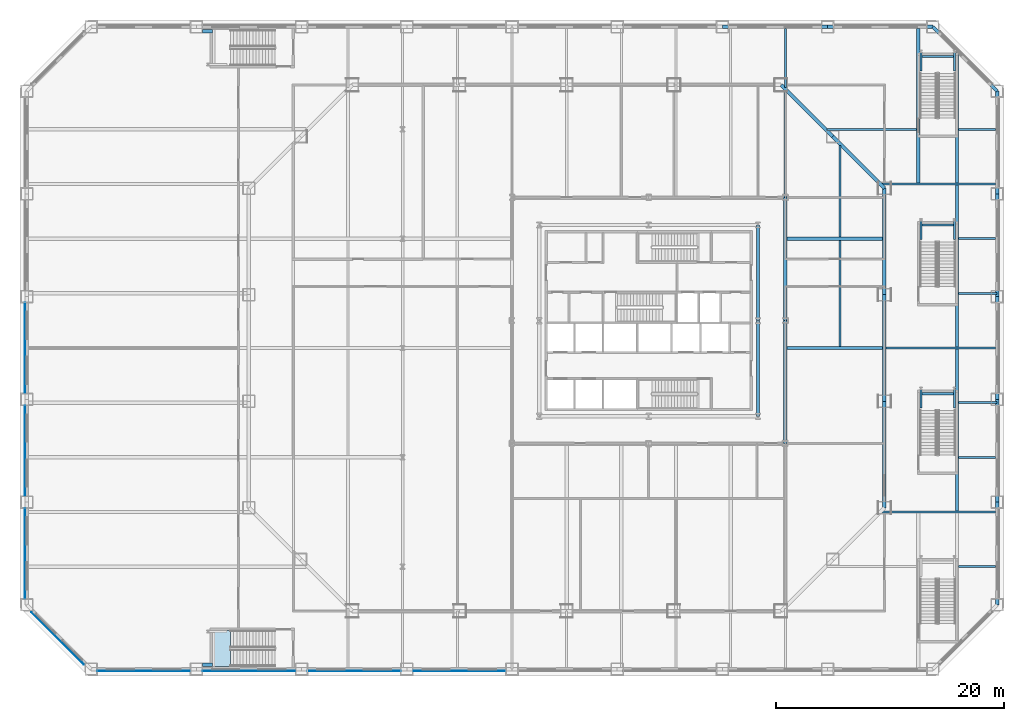
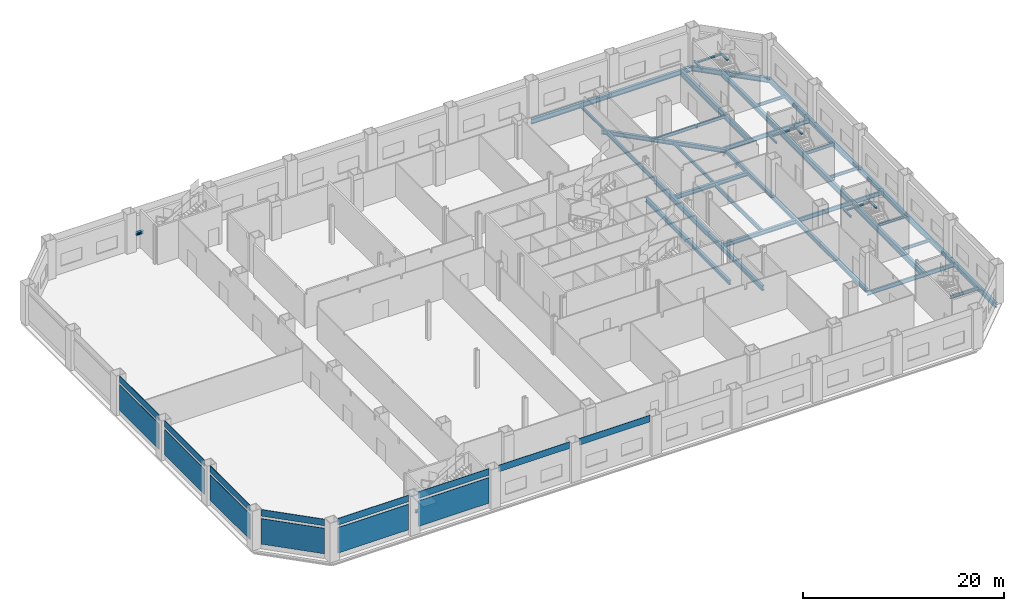
# One storey, part 10 of 26: 48 beams, 14 plates, 1 slab, 1 element without a shape of its own.
"""IFC4 building model written with IfcOpenShell, lengths in metres."""

from ifc_helpers import new_model, si_unit, direction, frame, origin, origin_2d, place, context, subcontext, project, spatial, polyline, rectangle, i_section, outline, extrude, material, layer, layer_set, material_profile, profile_set, type_object, element, aggregate, save


model = new_model("IFC4")

# Units and contexts
model_context = context("Model", 3, precision=1e-05, world=origin(), true_north=direction((0.0, 1.0)))
body_context = subcontext(model_context, "Body", "Model", "MODEL_VIEW")
ifc_project = project(units=[si_unit("LENGTHUNIT", "METRE"), si_unit("AREAUNIT", "SQUARE_METRE"), si_unit("VOLUMEUNIT", "CUBIC_METRE"), si_unit("PLANEANGLEUNIT", "RADIAN"), si_unit("MASSUNIT", "GRAM", prefix="KILO")], contexts=[model_context])

# Site, building, storey
site_placement = place(None, origin())
site = spatial("IfcSite", under=ifc_project, at=site_placement, CompositionType="ELEMENT")
building_placement = place(site_placement, origin())
building = spatial("IfcBuilding", under=site, at=building_placement, Name="Cairn Pilgrim Tower", CompositionType="ELEMENT")
storey_placement = place(building_placement, frame((0.0, 0.0, 21.0)))
storey = spatial("IfcBuildingStorey", under=building, at=storey_placement, Name="L03", CompositionType="ELEMENT", Elevation=21.0)

# Beams
ifc_material_1 = material(Name="Structural steel S355J2", Category="steel")
ifc_material_profile_1 = material_profile(ifc_material_1, i_section(OverallWidth=0.169921875, OverallDepth=0.360107421875, WebThickness=0.008056640625, FlangeThickness=0.0126953125, FilletRadius=0.01806640625, at=origin_2d()), Name="IPE 360")
ifc_profile_set_1 = profile_set([ifc_material_profile_1], Name="Structural steel S355J2")
beam_type_1 = type_object("IfcBeamType", Name="PODIUM BEAM IPE 360", PredefinedType="BEAM", material=ifc_profile_set_1)
for number, where, z_axis, x_axis, name in (
    (1, (34.422119140625, -19.199951171875, -0.3798828125), (1.0, 0.0, 0.0), (0.0, 1.0, 0.0), "PODIUM BEAM PB-IPE360"),
    (2, (34.422119140625, -9.60009765625, -0.3798828125), (1.0, 0.0, 0.0), (0.0, 1.0, 0.0), "PODIUM BEAM PB-IPE360"),
):
    element("IfcBeam", number, at=place(storey_placement, frame(where, z_axis=z_axis, x_axis=x_axis)), inside=storey, type_object=beam_type_1, Name=name, PredefinedType="BEAM", context=body_context, shape_type="SweptSolid", body=[
        extrude(i_section(OverallWidth=0.169921875, OverallDepth=0.360107421875, WebThickness=0.008056640625, FlangeThickness=0.0126953125, FilletRadius=0.01806640625, at=origin_2d()), origin(), (0.0, 0.0, 1.0), 3.225830078125),
    ])
for number, where, z_axis, x_axis, name in (
    (3, (34.422119140625, -4.800048828125, -0.3798828125), (1.0, 0.0, 0.0), (0.0, 1.0, 0.0), "PODIUM BEAM PB-IPE360"),
    (4, (34.422119140625, 4.800048828125, -0.3798828125), (1.0, 0.0, 0.0), (0.0, 1.0, 0.0), "PODIUM BEAM PB-IPE360"),
):
    element("IfcBeam", number, at=place(storey_placement, frame(where, z_axis=z_axis, x_axis=x_axis)), inside=storey, type_object=beam_type_1, Name=name, PredefinedType="BEAM", context=body_context, shape_type="SweptSolid", body=[
        extrude(i_section(OverallWidth=0.169921875, OverallDepth=0.360107421875, WebThickness=0.008056640625, FlangeThickness=0.0126953125, FilletRadius=0.01806640625, at=origin_2d()), origin(), (0.0, 0.0, 1.0), 3.3779296875),
    ])
for number, where, z_axis, x_axis, name in (
    (5, (34.422119140625, 9.60009765625, -0.3798828125), (1.0, 0.0, 0.0), (0.0, 1.0, 0.0), "PODIUM BEAM PB-IPE360"),
    (6, (34.422119140625, 19.199951171875, -0.3798828125), (1.0, 0.0, 0.0), (0.0, 1.0, 0.0), "PODIUM BEAM PB-IPE360"),
):
    element("IfcBeam", number, at=place(storey_placement, frame(where, z_axis=z_axis, x_axis=x_axis)), inside=storey, type_object=beam_type_1, Name=name, PredefinedType="BEAM", context=body_context, shape_type="SweptSolid", body=[
        extrude(i_section(OverallWidth=0.169921875, OverallDepth=0.360107421875, WebThickness=0.008056640625, FlangeThickness=0.0126953125, FilletRadius=0.01806640625, at=origin_2d()), origin(), (0.0, 0.0, 1.0), 3.225830078125),
    ])
beam_1_placement = place(storey_placement, frame((19.199951171875, 22.879150390625, -0.3798828125), z_axis=(0.0, 1.0, 0.0), x_axis=(-1.0, 0.0, 0.0)))
element("IfcBeam", 7, at=beam_1_placement, inside=storey, type_object=beam_type_1, Name="PODIUM BEAM PB-IPE360", PredefinedType="BEAM", context=body_context, shape_type="SweptSolid", body=[
    extrude(i_section(OverallWidth=0.169921875, OverallDepth=0.360107421875, WebThickness=0.008056640625, FlangeThickness=0.0126953125, FilletRadius=0.01806640625, at=origin_2d()), origin(), (0.0, 0.0, 1.0), 5.1689453125),
])
ifc_material_profile_2 = material_profile(ifc_material_1, i_section(OverallWidth=0.179931640625, OverallDepth=0.39990234375, WebThickness=0.008544921875, FlangeThickness=0.013427734375, FilletRadius=0.02099609375, at=origin_2d()), Name="IPE 400")
ifc_profile_set_2 = profile_set([ifc_material_profile_2], Name="Structural steel S355J2")
beam_type_2 = type_object("IfcBeamType", Name="PODIUM BEAM IPE 400", PredefinedType="BEAM", material=ifc_profile_set_2)
beam_2_placement = place(storey_placement, frame((24.0, 9.751953125, -0.39990234375), z_axis=(0.0, 1.0, 0.0), x_axis=(-1.0, 0.0, 0.0)))
element("IfcBeam", 8, at=beam_2_placement, inside=storey, type_object=beam_type_2, Name="PODIUM BEAM PB-IPE400", PredefinedType="BEAM", context=body_context, shape_type="SweptSolid", body=[
    extrude(i_section(OverallWidth=0.179931640625, OverallDepth=0.39990234375, WebThickness=0.008544921875, FlangeThickness=0.013427734375, FilletRadius=0.02099609375, at=origin_2d()), origin(), (0.0, 0.0, 1.0), 8.023193359375),
])
beam_3_placement = place(storey_placement, frame((22.879150390625, 19.199951171875, -0.39990234375), z_axis=(1.0, 0.0, 0.0), x_axis=(0.0, 1.0, 0.0)))
element("IfcBeam", 9, at=beam_3_placement, inside=storey, type_object=beam_type_2, Name="PODIUM BEAM PB-IPE400", PredefinedType="BEAM", context=body_context, shape_type="SweptSolid", body=[
    extrude(i_section(OverallWidth=0.179931640625, OverallDepth=0.39990234375, WebThickness=0.008544921875, FlangeThickness=0.013427734375, FilletRadius=0.02099609375, at=origin_2d()), origin(), (0.0, 0.0, 1.0), 7.848876953125),
])
ifc_material_profile_3 = material_profile(ifc_material_1, i_section(OverallWidth=0.199951171875, OverallDepth=0.5, WebThickness=0.01025390625, FlangeThickness=0.01611328125, FilletRadius=0.02099609375, at=origin_2d()), Name="IPE 500")
ifc_profile_set_3 = profile_set([ifc_material_profile_3], Name="Structural steel S355J2")
beam_type_3 = type_object("IfcBeamType", Name="PODIUM BEAM IPE 500", PredefinedType="BEAM", material=ifc_profile_set_3)
beam_4_placement = place(storey_placement, frame((19.199951171875, 13.199951171875, -0.449951171875), z_axis=(0.0, 1.0, 0.0), x_axis=(-1.0, 0.0, 0.0)))
element("IfcBeam", 10, at=beam_4_placement, inside=storey, type_object=beam_type_3, Name="PODIUM BEAM PB-IPE500", PredefinedType="BEAM", context=body_context, shape_type="SweptSolid", body=[
    extrude(i_section(OverallWidth=0.199951171875, OverallDepth=0.5, WebThickness=0.01025390625, FlangeThickness=0.01611328125, FilletRadius=0.02099609375, at=origin_2d()), origin(), (0.0, 0.0, 1.0), 9.375244140625),
])
beam_5_placement = place(storey_placement, frame((24.0, 0.152099609375, -0.449951171875), z_axis=(0.0, 1.0, 0.0), x_axis=(-1.0, 0.0, 0.0)))
element("IfcBeam", 11, at=beam_5_placement, inside=storey, type_object=beam_type_3, Name="PODIUM BEAM PB-IPE500", PredefinedType="BEAM", context=body_context, shape_type="SweptSolid", body=[
    extrude(i_section(OverallWidth=0.199951171875, OverallDepth=0.5, WebThickness=0.01025390625, FlangeThickness=0.01611328125, FilletRadius=0.02099609375, at=origin_2d()), origin(), (0.0, 0.0, 1.0), 9.2958984375),
])
beam_6_placement = place(storey_placement, frame((27.67919921875, -14.39990234375, -0.449951171875), z_axis=(1.0, 0.0, 0.0), x_axis=(0.0, 1.0, 0.0)))
element("IfcBeam", 12, at=beam_6_placement, inside=storey, type_object=beam_type_3, Name="PODIUM BEAM PB-IPE500", PredefinedType="BEAM", context=body_context, shape_type="SweptSolid", body=[
    extrude(i_section(OverallWidth=0.199951171875, OverallDepth=0.5, WebThickness=0.01025390625, FlangeThickness=0.01611328125, FilletRadius=0.02099609375, at=origin_2d()), origin(), (0.0, 0.0, 1.0), 9.96875),
])
beam_7_placement = place(storey_placement, frame((28.052001953125, 0.0, -0.449951171875), z_axis=(1.0, 0.0, 0.0), x_axis=(0.0, 1.0, 0.0)))
element("IfcBeam", 13, at=beam_7_placement, inside=storey, type_object=beam_type_3, Name="PODIUM BEAM PB-IPE500", PredefinedType="BEAM", context=body_context, shape_type="SweptSolid", body=[
    extrude(i_section(OverallWidth=0.199951171875, OverallDepth=0.5, WebThickness=0.01025390625, FlangeThickness=0.01611328125, FilletRadius=0.02099609375, at=origin_2d()), origin(), (0.0, 0.0, 1.0), 9.595947265625),
])
beam_8_placement = place(storey_placement, frame((27.67919921875, 14.39990234375, -0.449951171875), z_axis=(1.0, 0.0, 0.0), x_axis=(0.0, 1.0, 0.0)))
element("IfcBeam", 14, at=beam_8_placement, inside=storey, type_object=beam_type_3, Name="PODIUM BEAM PB-IPE500", PredefinedType="BEAM", context=body_context, shape_type="SweptSolid", body=[
    extrude(i_section(OverallWidth=0.199951171875, OverallDepth=0.5, WebThickness=0.01025390625, FlangeThickness=0.01611328125, FilletRadius=0.02099609375, at=origin_2d()), origin(), (0.0, 0.0, 1.0), 9.96875),
])
ifc_material_profile_4 = material_profile(ifc_material_1, i_section(OverallWidth=0.300048828125, OverallDepth=0.60009765625, WebThickness=0.015380859375, FlangeThickness=0.030029296875, FilletRadius=0.027099609375, at=origin_2d()), Name="HEB 600")
ifc_profile_set_4 = profile_set([ifc_material_profile_4], Name="Structural steel S355J2")
beam_type_4 = type_object("IfcBeamType", Name="PODIUM EDGE GIRDER HE 600 B", PredefinedType="BEAM", material=ifc_profile_set_4)
beam_9_placement = place(storey_placement, frame((37.800048828125, -22.551513671875, -0.5), z_axis=(0.0, 1.0, 0.0), x_axis=(-1.0, 0.0, 0.0)))
element("IfcBeam", 15, at=beam_9_placement, inside=storey, type_object=beam_type_4, Name="PODIUM EDGE GIRDER PE-HE600B", PredefinedType="BEAM", context=body_context, shape_type="SweptSolid", body=[
    extrude(i_section(OverallWidth=0.300048828125, OverallDepth=0.60009765625, WebThickness=0.015380859375, FlangeThickness=0.030029296875, FilletRadius=0.027099609375, at=origin_2d()), origin(), (0.0, 0.0, 1.0), 9.0205078125),
])
beam_10_placement = place(storey_placement, frame((37.800048828125, -13.531005859375, -0.5), z_axis=(0.0, 1.0, 0.0), x_axis=(-1.0, 0.0, 0.0)))
element("IfcBeam", 16, at=beam_10_placement, inside=storey, type_object=beam_type_4, Name="PODIUM EDGE GIRDER PE-HE600B", PredefinedType="BEAM", context=body_context, shape_type="SweptSolid", body=[
    extrude(i_section(OverallWidth=0.300048828125, OverallDepth=0.60009765625, WebThickness=0.015380859375, FlangeThickness=0.030029296875, FilletRadius=0.027099609375, at=origin_2d()), origin(), (0.0, 0.0, 1.0), 9.020751953125),
])
beam_11_placement = place(storey_placement, frame((37.800048828125, -4.51025390625, -0.5), z_axis=(0.0, 1.0, 0.0), x_axis=(-1.0, 0.0, 0.0)))
element("IfcBeam", 17, at=beam_11_placement, inside=storey, type_object=beam_type_4, Name="PODIUM EDGE GIRDER PE-HE600B", PredefinedType="BEAM", context=body_context, shape_type="SweptSolid", body=[
    extrude(i_section(OverallWidth=0.300048828125, OverallDepth=0.60009765625, WebThickness=0.015380859375, FlangeThickness=0.030029296875, FilletRadius=0.027099609375, at=origin_2d()), origin(), (0.0, 0.0, 1.0), 9.0205078125),
])
beam_12_placement = place(storey_placement, frame((37.800048828125, 4.51025390625, -0.5), z_axis=(0.0, 1.0, 0.0), x_axis=(-1.0, 0.0, 0.0)))
element("IfcBeam", 18, at=beam_12_placement, inside=storey, type_object=beam_type_4, Name="PODIUM EDGE GIRDER PE-HE600B", PredefinedType="BEAM", context=body_context, shape_type="SweptSolid", body=[
    extrude(i_section(OverallWidth=0.300048828125, OverallDepth=0.60009765625, WebThickness=0.015380859375, FlangeThickness=0.030029296875, FilletRadius=0.027099609375, at=origin_2d()), origin(), (0.0, 0.0, 1.0), 9.020751953125),
])
beam_13_placement = place(storey_placement, frame((37.800048828125, 13.531005859375, -0.5), z_axis=(0.0, 1.0, 0.0), x_axis=(-1.0, 0.0, 0.0)))
element("IfcBeam", 19, at=beam_13_placement, inside=storey, type_object=beam_type_4, Name="PODIUM EDGE GIRDER PE-HE600B", PredefinedType="BEAM", context=body_context, shape_type="SweptSolid", body=[
    extrude(i_section(OverallWidth=0.300048828125, OverallDepth=0.60009765625, WebThickness=0.015380859375, FlangeThickness=0.030029296875, FilletRadius=0.027099609375, at=origin_2d()), origin(), (0.0, 0.0, 1.0), 9.0205078125),
])
beam_14_placement = place(storey_placement, frame((37.800048828125, 22.551513671875, -0.5), z_axis=(-0.707106781187, 0.707106781187, 0.0), x_axis=(-0.707106781187, -0.707106781187, 0.0)))
element("IfcBeam", 20, at=beam_14_placement, inside=storey, type_object=beam_type_4, Name="PODIUM EDGE GIRDER PE-HE600B", PredefinedType="BEAM", context=body_context, shape_type="SweptSolid", body=[
    extrude(i_section(OverallWidth=0.300048828125, OverallDepth=0.60009765625, WebThickness=0.015380859375, FlangeThickness=0.030029296875, FilletRadius=0.027099609375, at=origin_2d()), origin(), (0.0, 0.0, 1.0), 7.988037109375),
])
beam_15_placement = place(storey_placement, frame((32.151611328125, 28.199951171875, -0.5), z_axis=(-1.0, 0.0, 0.0), x_axis=(0.0, -1.0, 0.0)))
element("IfcBeam", 21, at=beam_15_placement, inside=storey, type_object=beam_type_4, Name="PODIUM EDGE GIRDER PE-HE600B", PredefinedType="BEAM", context=body_context, shape_type="SweptSolid", body=[
    extrude(i_section(OverallWidth=0.300048828125, OverallDepth=0.60009765625, WebThickness=0.015380859375, FlangeThickness=0.030029296875, FilletRadius=0.027099609375, at=origin_2d()), origin(), (0.0, 0.0, 1.0), 9.238037109375),
])
beam_16_placement = place(storey_placement, frame((22.91357421875, 28.199951171875, -0.5), z_axis=(-1.0, 0.0, 0.0), x_axis=(0.0, -1.0, 0.0)))
element("IfcBeam", 22, at=beam_16_placement, inside=storey, type_object=beam_type_4, Name="PODIUM EDGE GIRDER PE-HE600B", PredefinedType="BEAM", context=body_context, shape_type="SweptSolid", body=[
    extrude(i_section(OverallWidth=0.300048828125, OverallDepth=0.60009765625, WebThickness=0.015380859375, FlangeThickness=0.030029296875, FilletRadius=0.027099609375, at=origin_2d()), origin(), (0.0, 0.0, 1.0), 9.23779296875),
])
ifc_material_profile_5 = material_profile(ifc_material_1, i_section(OverallWidth=0.300048828125, OverallDepth=0.5, WebThickness=0.014404296875, FlangeThickness=0.028076171875, FilletRadius=0.027099609375, at=origin_2d()), Name="HEB 500")
ifc_profile_set_5 = profile_set([ifc_material_profile_5], Name="Structural steel S355J2")
beam_type_5 = type_object("IfcBeamType", Name="PODIUM GIRDER HE 500 B", PredefinedType="BEAM", material=ifc_profile_set_5)
beam_17_placement = place(storey_placement, frame((27.89990234375, -14.027099609375, -0.449951171875), z_axis=(0.0, 1.0, 0.0), x_axis=(-1.0, 0.0, 0.0)))
element("IfcBeam", 23, at=beam_17_placement, inside=storey, type_object=beam_type_5, Name="PODIUM GIRDER PG-HE500B", PredefinedType="BEAM", context=body_context, shape_type="SweptSolid", body=[
    extrude(i_section(OverallWidth=0.300048828125, OverallDepth=0.5, WebThickness=0.014404296875, FlangeThickness=0.028076171875, FilletRadius=0.027099609375, at=origin_2d()), origin(), (0.0, 0.0, 1.0), 9.351318359375),
])
beam_18_placement = place(storey_placement, frame((27.89990234375, -4.67578125, -0.449951171875), z_axis=(0.0, 1.0, 0.0), x_axis=(-1.0, 0.0, 0.0)))
element("IfcBeam", 24, at=beam_18_placement, inside=storey, type_object=beam_type_5, Name="PODIUM GIRDER PG-HE500B", PredefinedType="BEAM", context=body_context, shape_type="SweptSolid", body=[
    extrude(i_section(OverallWidth=0.300048828125, OverallDepth=0.5, WebThickness=0.014404296875, FlangeThickness=0.028076171875, FilletRadius=0.027099609375, at=origin_2d()), origin(), (0.0, 0.0, 1.0), 9.3515625),
])
beam_19_placement = place(storey_placement, frame((27.89990234375, 4.67578125, -0.449951171875), z_axis=(0.0, 1.0, 0.0), x_axis=(-1.0, 0.0, 0.0)))
element("IfcBeam", 25, at=beam_19_placement, inside=storey, type_object=beam_type_5, Name="PODIUM GIRDER PG-HE500B", PredefinedType="BEAM", context=body_context, shape_type="SweptSolid", body=[
    extrude(i_section(OverallWidth=0.300048828125, OverallDepth=0.5, WebThickness=0.014404296875, FlangeThickness=0.028076171875, FilletRadius=0.027099609375, at=origin_2d()), origin(), (0.0, 0.0, 1.0), 9.351318359375),
])
for number, where, z_axis, x_axis, name in (
    (26, (27.89990234375, 14.027099609375, -0.449951171875), (-0.707087753759, 0.707125808102, 0.0), (-0.707125808102, -0.707087753759, 0.0), "PODIUM GIRDER PG-HE500B"),
    (27, (23.363525390625, 18.563720703125, -0.449951171875), (-0.707106781187, 0.707106781187, 0.0), (-0.707106781187, -0.707106781187, 0.0), "PODIUM GIRDER PG-HE500B"),
):
    element("IfcBeam", number, at=place(storey_placement, frame(where, z_axis=z_axis, x_axis=x_axis)), inside=storey, type_object=beam_type_5, Name=name, PredefinedType="BEAM", context=body_context, shape_type="SweptSolid", body=[
        extrude(i_section(OverallWidth=0.300048828125, OverallDepth=0.5, WebThickness=0.014404296875, FlangeThickness=0.028076171875, FilletRadius=0.027099609375, at=origin_2d()), origin(), (0.0, 0.0, 1.0), 6.41552734375),
    ])
beam_20_placement = place(storey_placement, frame((16.800048828125, -6.0, -0.449951171875), z_axis=(0.0, 1.0, 0.0), x_axis=(-1.0, 0.0, 0.0)))
element("IfcBeam", 28, at=beam_20_placement, inside=storey, type_object=beam_type_5, Name="PODIUM GIRDER PG-HE500B", PredefinedType="BEAM", context=body_context, shape_type="SweptSolid", body=[
    extrude(i_section(OverallWidth=0.300048828125, OverallDepth=0.5, WebThickness=0.014404296875, FlangeThickness=0.028076171875, FilletRadius=0.027099609375, at=origin_2d()), origin(), (0.0, 0.0, 1.0), 8.39990234375),
])
beam_21_placement = place(storey_placement, frame((16.800048828125, 2.39990234375, -0.449951171875), z_axis=(0.0, 1.0, 0.0), x_axis=(-1.0, 0.0, 0.0)))
element("IfcBeam", 29, at=beam_21_placement, inside=storey, type_object=beam_type_5, Name="PODIUM GIRDER PG-HE500B", PredefinedType="BEAM", context=body_context, shape_type="SweptSolid", body=[
    extrude(i_section(OverallWidth=0.300048828125, OverallDepth=0.5, WebThickness=0.014404296875, FlangeThickness=0.028076171875, FilletRadius=0.027099609375, at=origin_2d()), origin(), (0.0, 0.0, 1.0), 8.400146484375),
])
for number, where, z_axis, x_axis, name in (
    (30, (19.35205078125, 0.0, -0.449951171875), (1.0, 0.0, 0.0), (0.0, 1.0, 0.0), "PODIUM GIRDER PG-HE500B"),
    (31, (19.35205078125, 9.60009765625, -0.449951171875), (1.0, 0.0, 0.0), (0.0, 1.0, 0.0), "PODIUM GIRDER PG-HE500B"),
):
    element("IfcBeam", number, at=place(storey_placement, frame(where, z_axis=z_axis, x_axis=x_axis)), inside=storey, type_object=beam_type_5, Name=name, PredefinedType="BEAM", context=body_context, shape_type="SweptSolid", body=[
        extrude(i_section(OverallWidth=0.300048828125, OverallDepth=0.5, WebThickness=0.014404296875, FlangeThickness=0.028076171875, FilletRadius=0.027099609375, at=origin_2d()), origin(), (0.0, 0.0, 1.0), 8.39599609375),
    ])
ifc_material_profile_6 = material_profile(ifc_material_1, i_section(OverallWidth=0.300048828125, OverallDepth=0.60009765625, WebThickness=0.015380859375, FlangeThickness=0.030029296875, FilletRadius=0.027099609375, at=origin_2d()), Name="HEB 600")
ifc_profile_set_6 = profile_set([ifc_material_profile_6], Name="Structural steel S355J2")
beam_type_6 = type_object("IfcBeamType", Name="PODIUM GIRDER HE 600 B", PredefinedType="BEAM", material=ifc_profile_set_6)
beam_22_placement = place(storey_placement, frame((19.199951171875, -8.39990234375, -0.5), z_axis=(0.0, 1.0, 0.0), x_axis=(-1.0, 0.0, 0.0)))
element("IfcBeam", 32, at=beam_22_placement, inside=storey, type_object=beam_type_6, Name="PODIUM GIRDER PG-HE600B", PredefinedType="BEAM", context=body_context, shape_type="SweptSolid", body=[
    extrude(i_section(OverallWidth=0.300048828125, OverallDepth=0.60009765625, WebThickness=0.015380859375, FlangeThickness=0.030029296875, FilletRadius=0.027099609375, at=origin_2d()), origin(), (0.0, 0.0, 1.0), 10.7998046875),
])
beam_23_placement = place(storey_placement, frame((19.199951171875, 2.39990234375, -0.5), z_axis=(0.0, 1.0, 0.0), x_axis=(-1.0, 0.0, 0.0)))
element("IfcBeam", 33, at=beam_23_placement, inside=storey, type_object=beam_type_6, Name="PODIUM GIRDER PG-HE600B", PredefinedType="BEAM", context=body_context, shape_type="SweptSolid", body=[
    extrude(i_section(OverallWidth=0.300048828125, OverallDepth=0.60009765625, WebThickness=0.015380859375, FlangeThickness=0.030029296875, FilletRadius=0.027099609375, at=origin_2d()), origin(), (0.0, 0.0, 1.0), 10.800048828125),
])
beam_24_placement = place(storey_placement, frame((34.27001953125, 14.501953125, -0.5), z_axis=(0.0, 1.0, 0.0), x_axis=(-1.0, 0.0, 0.0)))
element("IfcBeam", 34, at=beam_24_placement, inside=storey, type_object=beam_type_6, Name="PODIUM GIRDER PG-HE600B", PredefinedType="BEAM", context=body_context, shape_type="SweptSolid", body=[
    extrude(i_section(OverallWidth=0.300048828125, OverallDepth=0.60009765625, WebThickness=0.015380859375, FlangeThickness=0.030029296875, FilletRadius=0.027099609375, at=origin_2d()), origin(), (0.0, 0.0, 1.0), 11.427490234375),
])
ifc_material_profile_7 = material_profile(ifc_material_1, i_section(OverallWidth=0.300048828125, OverallDepth=0.699951171875, WebThickness=0.01708984375, FlangeThickness=0.031982421875, FilletRadius=0.027099609375, at=origin_2d()), Name="HEB 700")
ifc_profile_set_7 = profile_set([ifc_material_profile_7], Name="Structural steel S355J2")
beam_type_7 = type_object("IfcBeamType", Name="PODIUM GIRDER HE 700 B", PredefinedType="BEAM", material=ifc_profile_set_7)
for number, where, z_axis, x_axis, name in (
    (35, (34.27001953125, -14.298095703125, -0.550048828125), (0.0, 1.0, 0.0), (-1.0, 0.0, 0.0), "PODIUM GIRDER PG-HE700B"),
    (36, (34.27001953125, 0.10205078125, -0.550048828125), (0.0, 1.0, 0.0), (-1.0, 0.0, 0.0), "PODIUM GIRDER PG-HE700B"),
):
    element("IfcBeam", number, at=place(storey_placement, frame(where, z_axis=z_axis, x_axis=x_axis)), inside=storey, type_object=beam_type_7, Name=name, PredefinedType="BEAM", context=body_context, shape_type="SweptSolid", body=[
        extrude(i_section(OverallWidth=0.300048828125, OverallDepth=0.699951171875, WebThickness=0.01708984375, FlangeThickness=0.031982421875, FilletRadius=0.027099609375, at=origin_2d()), origin(), (0.0, 0.0, 1.0), 14.196044921875),
    ])
beam_25_placement = place(storey_placement, frame((30.8798828125, 14.501953125, -0.550048828125), z_axis=(0.0, 1.0, 0.0), x_axis=(-1.0, 0.0, 0.0)))
element("IfcBeam", 37, at=beam_25_placement, inside=storey, type_object=beam_type_7, Name="PODIUM GIRDER PG-HE700B", PredefinedType="BEAM", context=body_context, shape_type="SweptSolid", body=[
    extrude(i_section(OverallWidth=0.300048828125, OverallDepth=0.699951171875, WebThickness=0.01708984375, FlangeThickness=0.031982421875, FilletRadius=0.027099609375, at=origin_2d()), origin(), (0.0, 0.0, 1.0), 13.546142578125),
])
ifc_material_profile_8 = material_profile(ifc_material_1, i_section(OverallWidth=0.199951171875, OverallDepth=0.199951171875, WebThickness=0.009033203125, FlangeThickness=0.014892578125, FilletRadius=0.01806640625, at=origin_2d()), Name="HE 200 B")
ifc_profile_set_8 = profile_set([ifc_material_profile_8], Name="Structural steel S355J2")
beam_type_8 = type_object("IfcBeamType", Name="STAIR LANDING BEAM HE 200 B", PredefinedType="BEAM", material=ifc_profile_set_8)
for number, where, z_axis, x_axis, name in (
    (38, (31.10498046875, -3.659912109375, 2.10009765625), (0.0, -1.0, 0.0), (1.0, 0.0, 0.0), "STAIR LANDING BEAM LD-HE200B"),
    (39, (34.044921875, -3.659912109375, 2.10009765625), (0.0, -1.0, 0.0), (1.0, 0.0, 0.0), "STAIR LANDING BEAM LD-HE200B"),
):
    element("IfcBeam", number, at=place(storey_placement, frame(where, z_axis=z_axis, x_axis=x_axis)), inside=storey, type_object=beam_type_8, Name=name, PredefinedType="BEAM", context=body_context, shape_type="SweptSolid", body=[
        extrude(i_section(OverallWidth=0.199951171875, OverallDepth=0.199951171875, WebThickness=0.009033203125, FlangeThickness=0.014892578125, FilletRadius=0.01806640625, at=origin_2d()), origin(), (0.0, 0.0, 1.0), 1.625),
    ])
beam_26_placement = place(storey_placement, frame((31.205078125, -4.0048828125, 2.10009765625), z_axis=(1.0, 0.0, 0.0), x_axis=(0.0, 1.0, 0.0)))
element("IfcBeam", 40, at=beam_26_placement, inside=storey, type_object=beam_type_8, Name="STAIR LANDING BEAM LD-HE200B", PredefinedType="BEAM", context=body_context, shape_type="SweptSolid", body=[
    extrude(i_section(OverallWidth=0.199951171875, OverallDepth=0.199951171875, WebThickness=0.009033203125, FlangeThickness=0.014892578125, FilletRadius=0.01806640625, at=origin_2d()), origin(), (0.0, 0.0, 1.0), 2.739990234375),
])
for number, where, z_axis, x_axis, name in (
    (41, (31.10498046875, 11.139892578125, 2.10009765625), (0.0, -1.0, 0.0), (1.0, 0.0, 0.0), "STAIR LANDING BEAM LD-HE200B"),
    (42, (34.044921875, 11.139892578125, 2.10009765625), (0.0, -1.0, 0.0), (1.0, 0.0, 0.0), "STAIR LANDING BEAM LD-HE200B"),
):
    element("IfcBeam", number, at=place(storey_placement, frame(where, z_axis=z_axis, x_axis=x_axis)), inside=storey, type_object=beam_type_8, Name=name, PredefinedType="BEAM", context=body_context, shape_type="SweptSolid", body=[
        extrude(i_section(OverallWidth=0.199951171875, OverallDepth=0.199951171875, WebThickness=0.009033203125, FlangeThickness=0.014892578125, FilletRadius=0.01806640625, at=origin_2d()), origin(), (0.0, 0.0, 1.0), 1.625),
    ])
beam_27_placement = place(storey_placement, frame((31.205078125, 10.794921875, 2.10009765625), z_axis=(1.0, 0.0, 0.0), x_axis=(0.0, 1.0, 0.0)))
element("IfcBeam", 43, at=beam_27_placement, inside=storey, type_object=beam_type_8, Name="STAIR LANDING BEAM LD-HE200B", PredefinedType="BEAM", context=body_context, shape_type="SweptSolid", body=[
    extrude(i_section(OverallWidth=0.199951171875, OverallDepth=0.199951171875, WebThickness=0.009033203125, FlangeThickness=0.014892578125, FilletRadius=0.01806640625, at=origin_2d()), origin(), (0.0, 0.0, 1.0), 2.739990234375),
])
for number, where, z_axis, x_axis, name in (
    (44, (31.10498046875, 25.93994140625, 2.10009765625), (0.0, -1.0, 0.0), (1.0, 0.0, 0.0), "STAIR LANDING BEAM LD-HE200B"),
    (45, (34.044921875, 25.93994140625, 2.10009765625), (0.0, -1.0, 0.0), (1.0, 0.0, 0.0), "STAIR LANDING BEAM LD-HE200B"),
):
    element("IfcBeam", number, at=place(storey_placement, frame(where, z_axis=z_axis, x_axis=x_axis)), inside=storey, type_object=beam_type_8, Name=name, PredefinedType="BEAM", context=body_context, shape_type="SweptSolid", body=[
        extrude(i_section(OverallWidth=0.199951171875, OverallDepth=0.199951171875, WebThickness=0.009033203125, FlangeThickness=0.014892578125, FilletRadius=0.01806640625, at=origin_2d()), origin(), (0.0, 0.0, 1.0), 1.625),
    ])
beam_28_placement = place(storey_placement, frame((31.205078125, 25.594970703125, 2.10009765625), z_axis=(1.0, 0.0, 0.0), x_axis=(0.0, 1.0, 0.0)))
element("IfcBeam", 46, at=beam_28_placement, inside=storey, type_object=beam_type_8, Name="STAIR LANDING BEAM LD-HE200B", PredefinedType="BEAM", context=body_context, shape_type="SweptSolid", body=[
    extrude(i_section(OverallWidth=0.199951171875, OverallDepth=0.199951171875, WebThickness=0.009033203125, FlangeThickness=0.014892578125, FilletRadius=0.01806640625, at=origin_2d()), origin(), (0.0, 0.0, 1.0), 2.739990234375),
])
ifc_material_profile_9 = material_profile(ifc_material_1, i_section(OverallWidth=0.300048828125, OverallDepth=0.300048828125, WebThickness=0.010986328125, FlangeThickness=0.01904296875, FilletRadius=0.027099609375, at=origin_2d()), Name="HE 300 B")
ifc_profile_set_9 = profile_set([ifc_material_profile_9], Name="Structural steel S355J2")
beam_type_9 = type_object("IfcBeamType", Name="STAIR LANDING BRACKET HE 300 B", PredefinedType="BEAM", material=ifc_profile_set_9)
for number, where, z_axis, x_axis, name in (
    (47, (-31.963623046875, 27.800048828125, 2.050048828125), (1.0, 0.0, 0.0), (0.0, 1.0, 0.0), "STAIR LANDING BRACKET LB-HE300B"),
    (48, (-31.963623046875, -27.800048828125, 2.050048828125), (1.0, 0.0, 0.0), (0.0, 1.0, 0.0), "STAIR LANDING BRACKET LB-HE300B"),
):
    element("IfcBeam", number, at=place(storey_placement, frame(where, z_axis=z_axis, x_axis=x_axis)), inside=storey, type_object=beam_type_9, Name=name, PredefinedType="BEAM", context=body_context, shape_type="SweptSolid", body=[
        extrude(i_section(OverallWidth=0.300048828125, OverallDepth=0.300048828125, WebThickness=0.010986328125, FlangeThickness=0.01904296875, FilletRadius=0.027099609375, at=origin_2d()), origin(), (0.0, 0.0, 1.0), 0.86865234375),
    ])

# Plates
ifc_material_2 = material(Name="Bronze anodised aluminium", Category="aluminium")
ifc_layer_1 = layer(ifc_material_2, 0.050048828125)
ifc_layer_set_1 = layer_set([ifc_layer_1], Name="BRONZE FASCIA PANEL 50")
plate_type_1 = type_object("IfcPlateType", Name="BRONZE FASCIA PANEL 50", PredefinedType="SHEET", material=ifc_layer_set_1)
for number, where, z_axis, x_axis, name in (
    (49, (-37.132568359375, -28.375, 4.0), (0.0, 0.0, 1.0), (1.0, 0.0, 0.0), "FASCIA"),
    (50, (-27.894775390625, -28.375, 4.0), (0.0, 0.0, 1.0), (1.0, 0.0, 0.0), "FASCIA"),
    (51, (-18.65673828125, -28.375, 4.0), (0.0, 0.0, 1.0), (1.0, 0.0, 0.0), "FASCIA"),
    (52, (-9.4189453125, -28.375, 4.0), (0.0, 0.0, 1.0), (1.0, 0.0, 0.0), "FASCIA"),
):
    element("IfcPlate", number, at=place(storey_placement, frame(where, z_axis=z_axis, x_axis=x_axis)), inside=storey, type_object=plate_type_1, Name=name, PredefinedType="SHEET", context=body_context, shape_type="SweptSolid", body=[
        extrude(rectangle(XDim=8.137939453125, YDim=0.050048828125, at=origin_2d()), origin(), (0.0, 0.0, 1.0), 0.800048828125),
    ])
for number, where, z_axis, x_axis, name in (
    (53, (-47.574951171875, 0.0, 4.0), (0.0, 0.0, 1.0), (0.0, -1.0, 0.0), "FASCIA"),
    (54, (-47.574951171875, -9.0205078125, 4.0), (0.0, 0.0, 1.0), (0.0, -1.0, 0.0), "FASCIA"),
    (55, (-47.574951171875, -18.041259765625, 4.0), (0.0, 0.0, 1.0), (0.0, -1.0, 0.0), "FASCIA"),
):
    element("IfcPlate", number, at=place(storey_placement, frame(where, z_axis=z_axis, x_axis=x_axis)), inside=storey, type_object=plate_type_1, Name=name, PredefinedType="SHEET", context=body_context, shape_type="SweptSolid", body=[
        extrude(rectangle(XDim=7.920654296875, YDim=0.050048828125, at=origin_2d()), origin(), (0.0, 0.0, 1.0), 0.800048828125),
    ])
plate_1_placement = place(storey_placement, frame((-44.699462890625, -25.49951171875, 4.0), z_axis=(0.0, 0.0, 1.0), x_axis=(0.707106781187, -0.707106781187, 0.0)))
element("IfcPlate", 56, at=plate_1_placement, inside=storey, type_object=plate_type_1, Name="FASCIA", PredefinedType="SHEET", context=body_context, shape_type="SweptSolid", body=[
    extrude(rectangle(XDim=6.50830078125, YDim=0.050048828125, at=origin_2d()), origin(), (0.0, 0.0, 1.0), 0.800048828125),
])
ifc_material_3 = material(Name="Perforated bronze anodised aluminium", Category="aluminium")
ifc_layer_2 = layer(ifc_material_3, 0.050048828125)
ifc_layer_set_2 = layer_set([ifc_layer_2], Name="COBOGO SCREEN 50 BRONZE")
plate_type_2 = type_object("IfcPlateType", Name="COBOGO SCREEN 50 BRONZE", PredefinedType="SHEET", material=ifc_layer_set_2)
for number, where, z_axis, x_axis, name in (
    (57, (-37.132568359375, -28.375, 0.599853515625), (0.0, 0.0, 1.0), (1.0, 0.0, 0.0), "SCREEN"),
    (58, (-27.894775390625, -28.375, 0.599853515625), (0.0, 0.0, 1.0), (1.0, 0.0, 0.0), "SCREEN"),
):
    element("IfcPlate", number, at=place(storey_placement, frame(where, z_axis=z_axis, x_axis=x_axis)), inside=storey, type_object=plate_type_2, Name=name, PredefinedType="SHEET", context=body_context, shape_type="SweptSolid", body=[
        extrude(rectangle(XDim=8.137939453125, YDim=0.050048828125, at=origin_2d()), origin(), (0.0, 0.0, 1.0), 3.10009765625),
    ])
for number, where, z_axis, x_axis, name in (
    (59, (-47.574951171875, 0.0, 0.599853515625), (0.0, 0.0, 1.0), (0.0, -1.0, 0.0), "SCREEN"),
    (60, (-47.574951171875, -9.0205078125, 0.599853515625), (0.0, 0.0, 1.0), (0.0, -1.0, 0.0), "SCREEN"),
    (61, (-47.574951171875, -18.041259765625, 0.599853515625), (0.0, 0.0, 1.0), (0.0, -1.0, 0.0), "SCREEN"),
):
    element("IfcPlate", number, at=place(storey_placement, frame(where, z_axis=z_axis, x_axis=x_axis)), inside=storey, type_object=plate_type_2, Name=name, PredefinedType="SHEET", context=body_context, shape_type="SweptSolid", body=[
        extrude(rectangle(XDim=7.920654296875, YDim=0.050048828125, at=origin_2d()), origin(), (0.0, 0.0, 1.0), 3.10009765625),
    ])
plate_2_placement = place(storey_placement, frame((-44.699462890625, -25.49951171875, 0.599853515625), z_axis=(0.0, 0.0, 1.0), x_axis=(0.707106781187, -0.707106781187, 0.0)))
element("IfcPlate", 62, at=plate_2_placement, inside=storey, type_object=plate_type_2, Name="SCREEN", PredefinedType="SHEET", context=body_context, shape_type="SweptSolid", body=[
    extrude(rectangle(XDim=6.50830078125, YDim=0.050048828125, at=origin_2d()), origin(), (0.0, 0.0, 1.0), 3.10009765625),
])

# Stair, slab
ifc_material_4 = material(Name="Concrete C35/45", Category="concrete")
stair_type = type_object("IfcStairType", Name="PODIUM EXIT STAIR 1500", PredefinedType="HALF_TURN_STAIR", material=ifc_material_4)
stair_placement = place(storey_placement, origin())
stair = element("IfcStair", 63, at=stair_placement, inside=storey, type_object=stair_type, Name="L03 Exit Stair Hs", PredefinedType="HALF_TURN_STAIR")
ifc_layer_3 = layer(ifc_material_4, 0.199951171875)
ifc_layer_set_3 = layer_set([ifc_layer_3], Name="PODIUM STAIR LANDING 200")
slab_type = type_object("IfcSlabType", Name="PODIUM STAIR LANDING 200", PredefinedType="LANDING", material=ifc_layer_set_3)
slab_placement = place(storey_placement, frame((0.0, 0.0, 2.199951171875)))
slab = element("IfcSlab", 64, at=slab_placement, type_object=slab_type, Name="ST-HS landing 1", PredefinedType="LANDING", context=body_context, shape_type="SweptSolid", body=[
    extrude(outline(polyline([(-29.52001953125, -24.800048828125), (-31.10009765625, -24.800048828125), (-31.10009765625, -27.949951171875), (-29.52001953125, -27.949951171875), (-29.52001953125, -24.800048828125)])), origin(), (0.0, 0.0, 1.0), 0.199951171875),
])
aggregate(stair, [slab])

save(model, "model.ifc")
